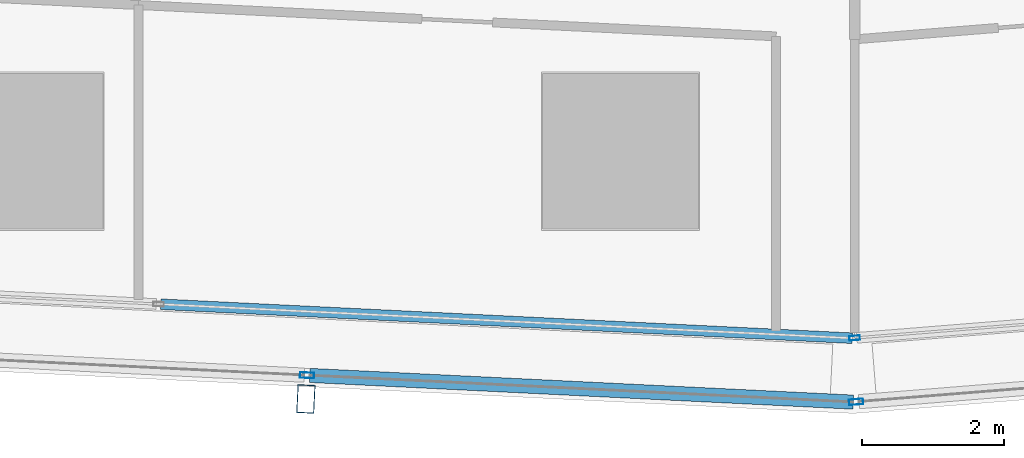
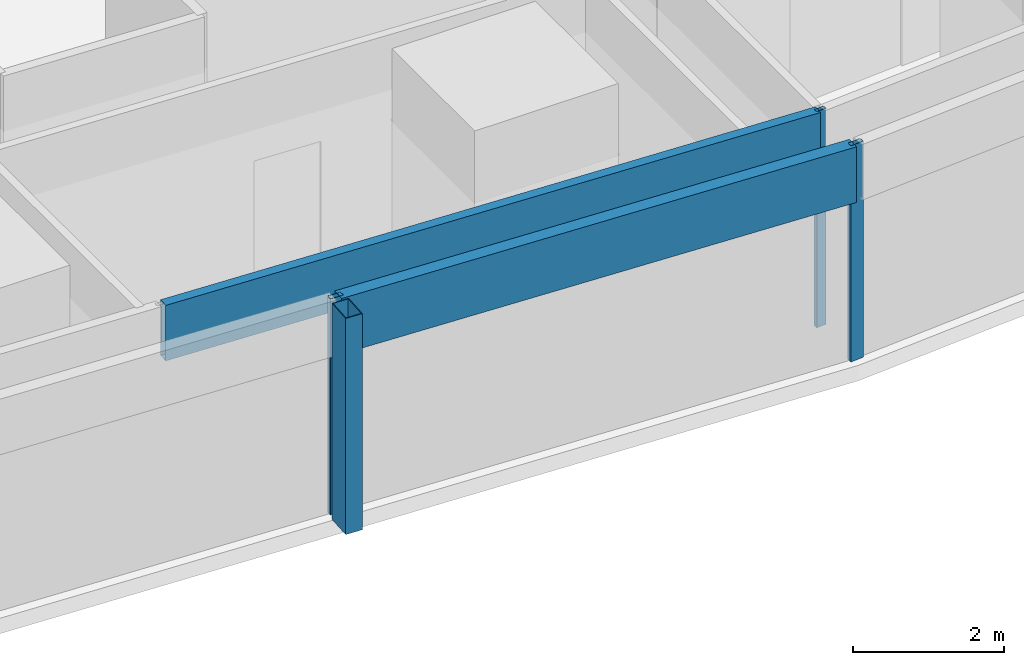
# One storey, part 9 of 42: 6 members, 4 elements without a shape of their own.
"""IFC4 building model written with IfcOpenShell, lengths in metres."""

import ifcopenshell
import ifcopenshell.guid

model = None  # the IFC model being written
_history = None  # IfcOwnerHistory: only IFC2X3 demands one
_inside = {}  # id of a spatial element -> (the spatial element, [elements in it])
_under = {}  # id of a project, library or spatial element -> (it, [spatial elements below it])
_declared = {}  # id of a project -> (the project, [libraries it declares])
_typed = {}  # id of a type object -> (the type object, [elements of that type])
_made_of = {}  # id of a material, layer set ... -> (it, [elements and type objects made of it])


def new_model(schema):
    """Start an empty IFC model of exactly this schema.

    Asked for "IFC4X3", IfcOpenShell would pick the latest addendum, in which some entities
    have other attributes; the version numbers below select the first issue.
    IFC2X3 requires an IfcOwnerHistory on every rooted entity: one is made here for all.
    """
    global model, _history
    if schema == "IFC4X3":
        model = ifcopenshell.file(schema_version=(4, 3, 0, 0))
    else:
        model = ifcopenshell.file(schema=schema)
    _inside.clear()
    _under.clear()
    _declared.clear()
    _typed.clear()
    _made_of.clear()
    _history = None
    if model.schema == "IFC2X3":
        org = make("IfcOrganization", Name="unknown")
        user = make(
            "IfcPersonAndOrganization",
            ThePerson=make("IfcPerson", FamilyName="unknown"),
            TheOrganization=org,
        )
        app = make(
            "IfcApplication",
            ApplicationDeveloper=org,
            Version="unknown",
            ApplicationFullName="unknown",
            ApplicationIdentifier="unknown",
        )
        _history = make(
            "IfcOwnerHistory",
            OwningUser=user,
            OwningApplication=app,
            ChangeAction="ADDED",
            CreationDate=0,
        )
    return model


def make(cls, **values):
    """One entity of the class cls with the attributes given. An attribute that is None is left unset."""
    return model.create_entity(
        cls, **{name: value for name, value in values.items() if value is not None}
    )


def rooted(cls, **values):
    """An entity with a GlobalId (a new one), such as an element, a storey or a relation."""
    return make(cls, GlobalId=ifcopenshell.guid.new(), OwnerHistory=_history, **values)


def si_unit(unit_type, name, prefix=None):
    """IfcSIUnit, for example si_unit("LENGTHUNIT", "METRE", prefix="MILLI")."""
    return make("IfcSIUnit", UnitType=unit_type, Prefix=prefix, Name=name)


def assignment(units):
    """IfcUnitAssignment: the units of a project."""
    return None if units is None else make("IfcUnitAssignment", Units=units)


def point(xyz):
    """IfcCartesianPoint."""
    return None if xyz is None else make("IfcCartesianPoint", Coordinates=xyz)


def direction(xyz):
    """IfcDirection."""
    return None if xyz is None else make("IfcDirection", DirectionRatios=xyz)


def frame(location, z_axis=None, x_axis=None):
    """IfcAxis2Placement3D, a coordinate frame: its origin and axes. An axis left out is left unset."""
    return make(
        "IfcAxis2Placement3D",
        Location=point(location),
        Axis=direction(z_axis),
        RefDirection=direction(x_axis),
    )


def frame_2d(location, x_axis=None):
    """IfcAxis2Placement2D, a coordinate frame in the plane: its origin and x axis."""
    return make(
        "IfcAxis2Placement2D", Location=point(location), RefDirection=direction(x_axis)
    )


def origin():
    """The frame at (0, 0, 0) with its axes left unset."""
    return frame((0.0, 0.0, 0.0))


def origin_2d():
    """The frame at (0, 0) in the plane with its x axis left unset."""
    return frame_2d((0.0, 0.0))


def place(relative_to, where):
    """IfcLocalPlacement: puts the frame where relative to a parent placement (None: the world)."""
    return make(
        "IfcLocalPlacement", PlacementRelTo=relative_to, RelativePlacement=where
    )


def context(
    kind, dimensions, precision=None, world=None, true_north=None, identifier=None
):
    """IfcGeometricRepresentationContext, for example the 3D "Model" context."""
    return make(
        "IfcGeometricRepresentationContext",
        ContextIdentifier=identifier,
        ContextType=kind,
        CoordinateSpaceDimension=dimensions,
        Precision=precision,
        WorldCoordinateSystem=world,
        TrueNorth=true_north,
    )


def subcontext(parent, identifier, kind, view, scale=None):
    """IfcGeometricRepresentationSubContext, for example "Body" below "Model"."""
    return make(
        "IfcGeometricRepresentationSubContext",
        ContextIdentifier=identifier,
        ContextType=kind,
        ParentContext=parent,
        TargetScale=scale,
        TargetView=view,
    )


def project(units=None, contexts=None):
    """IfcProject with its units and contexts."""
    return rooted(
        "IfcProject",
        Name="project",
        RepresentationContexts=contexts,
        UnitsInContext=assignment(units),
    )


def spatial(cls, under=None, at=None, **own):
    """A site, building, storey or space (cls), placed at a placement, below another one or the project."""
    s = rooted(cls, ObjectPlacement=at, **own)
    if under is not None:
        _under.setdefault(under.id(), (under, []))[1].append(s)
    return s


def profile(cls, at=None, kind="AREA", **sizes):
    """A parametric profile (cls). Its sizes go by their IFC names, for example OverallWidth=200.0."""
    return make(cls, ProfileType=kind, Position=at, **sizes)


def hollow_rectangle(**sizes):
    """IfcRectangleHollowProfileDef."""
    return profile("IfcRectangleHollowProfileDef", **sizes)


def extrude(swept, where, along, depth):
    """IfcExtrudedAreaSolid: the profile swept, set in the frame where, extruded along a direction by depth."""
    return make(
        "IfcExtrudedAreaSolid",
        SweptArea=swept,
        Position=where,
        ExtrudedDirection=direction(along),
        Depth=depth,
    )


def shape(context_of_items, identifier, shape_type, items):
    """IfcShapeRepresentation: the items that make up one representation, for example the "Body"."""
    return make(
        "IfcShapeRepresentation",
        ContextOfItems=context_of_items,
        RepresentationIdentifier=identifier,
        RepresentationType=shape_type,
        Items=items,
    )


def material(Name=None, Category=None):
    """IfcMaterial."""
    return make("IfcMaterial", Name=Name, Category=Category)


def material_profile(
    of_material, cross_section, Name=None, Category=None, Priority=None
):
    """IfcMaterialProfile: a cross section and its material."""
    return make(
        "IfcMaterialProfile",
        Name=Name,
        Material=of_material,
        Profile=cross_section,
        Priority=Priority,
        Category=Category,
    )


def profile_set(profiles, Name=None, composite=None):
    """IfcMaterialProfileSet."""
    return make(
        "IfcMaterialProfileSet",
        Name=Name,
        MaterialProfiles=profiles,
        CompositeProfile=composite,
    )


def made_of(thing, what):
    """Note that an element or type object is made of a material, layer set ...; save() writes the relation."""
    if what is not None:
        _made_of.setdefault(what.id(), (what, []))[1].append(thing)
    return thing


def type_object(cls, material=None, **own):
    """A type object (cls), such as IfcWallType, which elements share."""
    return made_of(rooted(cls, **own), material)


def element(
    cls,
    number,
    at=None,
    inside=None,
    cuts=None,
    type_object=None,
    material=None,
    context=None,
    identifier="Body",
    shape_type=None,
    held_by="IfcProductDefinitionShape",
    body=None,
    shapes=None,
    **own,
):
    """One element of the class cls, such as IfcWall. Its Tag is "e" and its number.

    at: its placement. inside: the storey or other place that contains it. cuts: it is an
    opening in that element (IfcRelVoidsElement). A single representation is given by context,
    identifier, shape_type and body (its items); several are given by shapes. held_by: the class
    of the entity that holds the representations. save() writes the other relations.
    """
    e = rooted(cls, Tag="e%d" % number, ObjectPlacement=at, **own)
    if body is not None:
        shapes = [shape(context, identifier, shape_type, body)]
    if shapes is not None:
        e.Representation = make(held_by, Representations=shapes)
    if inside is not None:
        _inside.setdefault(inside.id(), (inside, []))[1].append(e)
    if cuts is not None:
        rooted(
            "IfcRelVoidsElement", RelatingBuildingElement=cuts, RelatedOpeningElement=e
        )
    if type_object is not None:
        _typed.setdefault(type_object.id(), (type_object, []))[1].append(e)
    return made_of(e, material)


def aggregate(whole, parts):
    """IfcRelAggregates: a whole, such as a stair, and the parts it consists of."""
    return rooted("IfcRelAggregates", RelatingObject=whole, RelatedObjects=parts)


def save(model, path):
    """Write the relations noted so far, then the file.

    IfcRelAggregates (storeys below a building ...), IfcRelContainedInSpatialStructure (elements
    in a storey), IfcRelDefinesByType, IfcRelAssociatesMaterial and IfcRelDeclares: one each for
    every whole, place, type object, material and project.
    """
    for whole, parts in _under.values():
        aggregate(whole, parts)
    for where, things in _inside.values():
        rooted(
            "IfcRelContainedInSpatialStructure",
            RelatedElements=things,
            RelatingStructure=where,
        )
    for kind, things in _typed.values():
        rooted("IfcRelDefinesByType", RelatedObjects=things, RelatingType=kind)
    for what, things in _made_of.values():
        rooted("IfcRelAssociatesMaterial", RelatedObjects=things, RelatingMaterial=what)
    for by, libraries in _declared.values():
        rooted("IfcRelDeclares", RelatingContext=by, RelatedDefinitions=libraries)
    model.write(path)


model = new_model("IFC4")

# Units and contexts
model_context = context("Model", 3, precision=1e-05, world=origin(), true_north=direction((0.0, 1.0)))
body_context = subcontext(model_context, "Body", "Model", "MODEL_VIEW")
ifc_project = project(units=[si_unit("LENGTHUNIT", "METRE"), si_unit("AREAUNIT", "SQUARE_METRE"), si_unit("VOLUMEUNIT", "CUBIC_METRE"), si_unit("PLANEANGLEUNIT", "RADIAN"), si_unit("MASSUNIT", "GRAM", prefix="KILO")], contexts=[model_context])

# Site, building, storey
site_placement = place(None, origin())
site = spatial("IfcSite", under=ifc_project, at=site_placement, CompositionType="ELEMENT")
building_placement = place(site_placement, origin())
building = spatial("IfcBuilding", under=site, at=building_placement, Name="Rekha Terrace Tower", CompositionType="ELEMENT")
storey_placement = place(building_placement, frame((0.0, 0.0, 40.39990234375)))
storey = spatial("IfcBuildingStorey", under=building, at=storey_placement, Name="L09", CompositionType="ELEMENT", Elevation=40.39990234375)

# Curtain wall, member
ifc_material_1 = material(Name="Aluminium framing", Category="aluminium")
curtain_wall_type_1 = type_object("IfcCurtainWallType", Name="CW2 double skin outer glazing", PredefinedType="USERDEFINED", material=ifc_material_1)
curtain_wall_1_placement = place(storey_placement, origin())
curtain_wall_1 = element("IfcCurtainWall", 1, at=curtain_wall_1_placement, inside=storey, type_object=curtain_wall_type_1, Name="CW2 double skin outer glazing", ObjectType="DOUBLE SKIN OUTER GLAZING", PredefinedType="USERDEFINED")
ifc_material_2 = material(Name="Steel S355 with fluorocarbon finish", Category="steel")
ifc_material_profile_1 = material_profile(ifc_material_2, hollow_rectangle(XDim=0.25, YDim=0.39990234375, WallThickness=0.012451171875, at=origin_2d()), Name="RHS400x250x12.5")
ifc_profile_set_1 = profile_set([ifc_material_profile_1], Name="Steel S355 with fluorocarbon finish")
member_type_1 = type_object("IfcMemberType", Name="BL1 facade blade RHS 400 x 250", PredefinedType="USERDEFINED", material=ifc_profile_set_1)
member_1_placement = place(storey_placement, frame((37.562744140625, 4.904296875, 0.0), z_axis=(0.0, 0.0, 1.0), x_axis=(0.998796226835, -0.049051985279, 0.0)))
member_1 = element("IfcMember", 2, at=member_1_placement, type_object=member_type_1, Name="Facade blade", ObjectType="FACADE BLADE", PredefinedType="USERDEFINED", context=body_context, shape_type="SweptSolid", body=[
    extrude(hollow_rectangle(XDim=0.25, YDim=0.39990234375, WallThickness=0.012451171875, at=origin_2d()), origin(), (0.0, 0.0, 1.0), 3.5),
])

curtain_wall_type_2 = type_object("IfcCurtainWallType", Name="CW1 double skin inner glazing", PredefinedType="USERDEFINED", material=ifc_material_1)
curtain_wall_2_placement = place(storey_placement, origin())
curtain_wall_2 = element("IfcCurtainWall", 3, at=curtain_wall_2_placement, inside=storey, type_object=curtain_wall_type_2, Name="CW1 double skin inner glazing", ObjectType="DOUBLE SKIN INNER GLAZING", PredefinedType="USERDEFINED")
ifc_material_3 = material(Name="Aluminium mullion section", Category="aluminium")
ifc_material_profile_2 = material_profile(ifc_material_3, hollow_rectangle(XDim=0.06494140625, YDim=0.14990234375, WallThickness=0.00390625, at=origin_2d()), Name="AL RHS 65x150")
ifc_profile_set_2 = profile_set([ifc_material_profile_2], Name="Aluminium mullion section")
member_type_2 = type_object("IfcMemberType", Name="CW1 mullion RHS 65 x 150", PredefinedType="MULLION", material=ifc_profile_set_2)
member_2_placement = place(storey_placement, frame((45.303955078125, 5.7646484375, 0.0), z_axis=(0.0, 0.0, 1.0), x_axis=(-0.079872204468, 0.996805111821, 0.0)))
member_2 = element("IfcMember", 4, at=member_2_placement, type_object=member_type_2, Name="CW1 mullion 1", PredefinedType="MULLION", context=body_context, shape_type="SweptSolid", body=[
    extrude(hollow_rectangle(XDim=0.06494140625, YDim=0.14990234375, WallThickness=0.00390625, at=origin_2d()), origin(), (0.0, 0.0, 1.0), 3.5),
])
aggregate(curtain_wall_2, [member_2])

curtain_wall_3_placement = place(storey_placement, origin())
curtain_wall_3 = element("IfcCurtainWall", 5, at=curtain_wall_3_placement, inside=storey, type_object=curtain_wall_type_2, Name="CW1 double skin inner glazing", ObjectType="DOUBLE SKIN INNER GLAZING", PredefinedType="USERDEFINED")
ifc_material_4 = material(Name="Insulated aluminium spandrel box", Category="aluminium")
ifc_material_profile_3 = material_profile(ifc_material_4, hollow_rectangle(XDim=0.14990234375, YDim=0.89990234375, WallThickness=0.0029296875, at=origin_2d()), Name="AL SPANDREL BOX 150x900")
ifc_profile_set_3 = profile_set([ifc_material_profile_3], Name="Insulated aluminium spandrel box")
member_type_3 = type_object("IfcMemberType", Name="CW1 spandrel transom 150 x 900", PredefinedType="USERDEFINED", material=ifc_profile_set_3)
member_3_placement = place(storey_placement, frame((35.516357421875, 6.2412109375, 3.050048828125), z_axis=(0.998795409084, -0.049068633482, 0.0), x_axis=(0.049068633482, 0.998795409084, 0.0)))
member_3 = element("IfcMember", 6, at=member_3_placement, type_object=member_type_3, Name="CW1 spandrel transom 3", ObjectType="TRANSOM", PredefinedType="USERDEFINED", context=body_context, shape_type="SweptSolid", body=[
    extrude(hollow_rectangle(XDim=0.14990234375, YDim=0.89990234375, WallThickness=0.0029296875, at=origin_2d()), origin(), (0.0, 0.0, 1.0), 9.766845703125),
])
aggregate(curtain_wall_3, [member_3])

# Member
ifc_material_profile_4 = material_profile(ifc_material_3, hollow_rectangle(XDim=0.080078125, YDim=0.199951171875, WallThickness=0.00390625, at=origin_2d()), Name="AL RHS 80x200")
ifc_profile_set_4 = profile_set([ifc_material_profile_4], Name="Aluminium mullion section")
member_type_4 = type_object("IfcMemberType", Name="CW2 mullion RHS 80 x 200", PredefinedType="MULLION", material=ifc_profile_set_4)
member_4_placement = place(storey_placement, frame((37.5791015625, 5.23876953125, 0.0), z_axis=(0.0, 0.0, 1.0), x_axis=(0.049051717746, 0.998796239974, 0.0)))
member_4 = element("IfcMember", 7, at=member_4_placement, type_object=member_type_4, Name="CW2 mullion 5", PredefinedType="MULLION", context=body_context, shape_type="SweptSolid", body=[
    extrude(hollow_rectangle(XDim=0.080078125, YDim=0.199951171875, WallThickness=0.00390625, at=origin_2d()), origin(), (0.0, 0.0, 1.0), 3.5),
])

# Curtain wall, member
curtain_wall_4_placement = place(storey_placement, origin())
curtain_wall_4 = element("IfcCurtainWall", 8, at=curtain_wall_4_placement, inside=storey, type_object=curtain_wall_type_1, Name="CW2 double skin outer glazing", ObjectType="DOUBLE SKIN OUTER GLAZING", PredefinedType="USERDEFINED")
member_5_placement = place(storey_placement, frame((45.325439453125, 4.863525390625, 0.0), z_axis=(0.0, 0.0, 1.0), x_axis=(-0.079872204468, 0.996805111821, 0.0)))
member_5 = element("IfcMember", 9, at=member_5_placement, type_object=member_type_4, Name="CW2 mullion 1", PredefinedType="MULLION", context=body_context, shape_type="SweptSolid", body=[
    extrude(hollow_rectangle(XDim=0.080078125, YDim=0.199951171875, WallThickness=0.00390625, at=origin_2d()), origin(), (0.0, 0.0, 1.0), 3.5),
])
aggregate(curtain_wall_4, [member_5])

# Member
ifc_material_profile_5 = material_profile(ifc_material_4, hollow_rectangle(XDim=0.199951171875, YDim=0.89990234375, WallThickness=0.0029296875, at=origin_2d()), Name="AL SPANDREL BOX 200x900")
ifc_profile_set_5 = profile_set([ifc_material_profile_5], Name="Insulated aluminium spandrel box")
member_type_5 = type_object("IfcMemberType", Name="CW2 spandrel transom 200 x 900", PredefinedType="USERDEFINED", material=ifc_profile_set_5)
member_6_placement = place(storey_placement, frame((37.619140625, 5.23681640625, 3.050048828125), z_axis=(0.998796518042, -0.049046055373, 0.0), x_axis=(0.049046055373, 0.998796518042, 0.0)))
member_6 = element("IfcMember", 10, at=member_6_placement, type_object=member_type_5, Name="CW2 spandrel transom 5", ObjectType="TRANSOM", PredefinedType="USERDEFINED", context=body_context, shape_type="SweptSolid", body=[
    extrude(hollow_rectangle(XDim=0.199951171875, YDim=0.89990234375, WallThickness=0.0029296875, at=origin_2d()), origin(), (0.0, 0.0, 1.0), 7.67578125),
])

aggregate(curtain_wall_1, [member_4, member_6, member_1])

save(model, "model.ifc")
